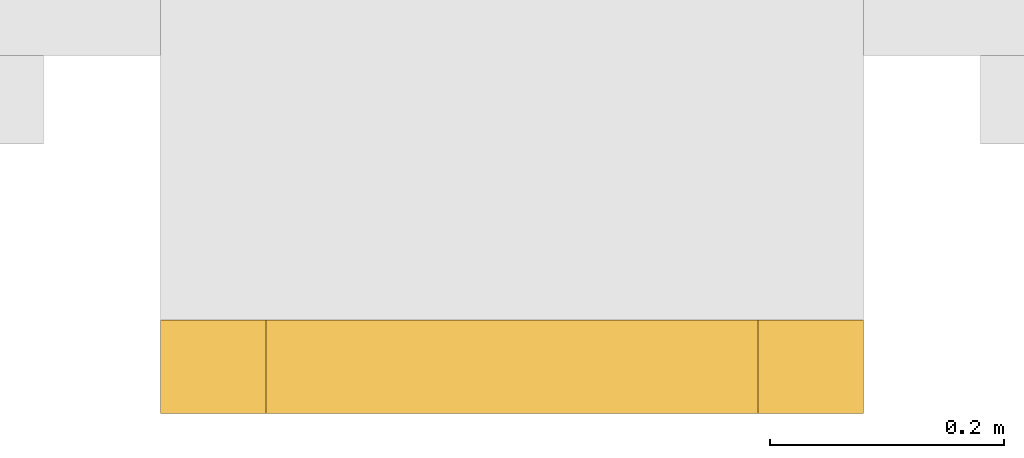
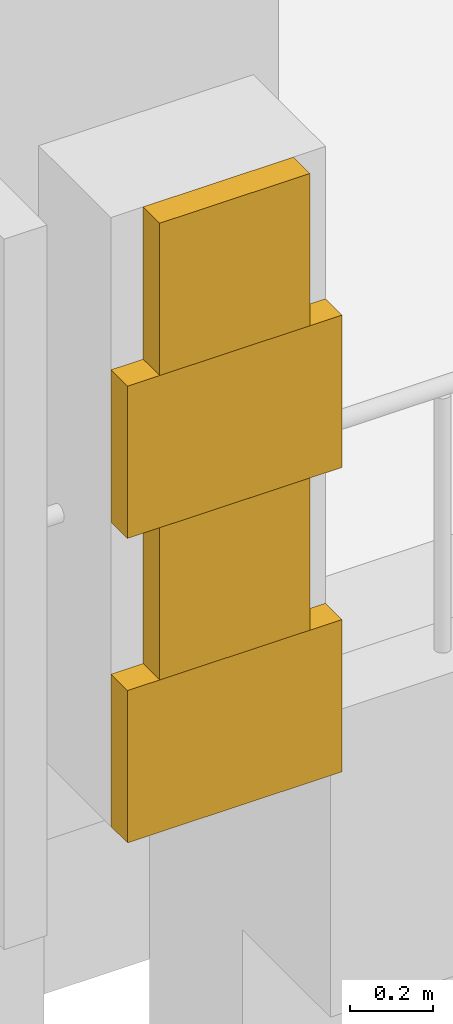
# One storey, part 51 of 52: 4 coverings.
"""IFC4 building model written with IfcOpenShell, lengths in metres."""

from ifc_helpers import new_model, si_unit, direction, frame, origin, place, context, subcontext, project, spatial, polyline, outline, extrude, material, layer, layer_set, type_object, element, save


model = new_model("IFC4")

# Units and contexts
model_context = context("Model", 3, precision=1e-05, world=origin(), true_north=direction((0.0, 1.0)))
body_context = subcontext(model_context, "Body", "Model", "MODEL_VIEW")
ifc_project = project(units=[si_unit("LENGTHUNIT", "METRE"), si_unit("AREAUNIT", "SQUARE_METRE"), si_unit("VOLUMEUNIT", "CUBIC_METRE"), si_unit("PLANEANGLEUNIT", "RADIAN"), si_unit("MASSUNIT", "GRAM", prefix="KILO")], contexts=[model_context])

# Site, building, storey
site_placement = place(None, origin())
site = spatial("IfcSite", under=ifc_project, at=site_placement, CompositionType="ELEMENT")
building_placement = place(site_placement, origin())
building = spatial("IfcBuilding", under=site, at=building_placement, Name="Cour d'Honneur Mobility Palace", CompositionType="ELEMENT")
storey_placement = place(building_placement, frame((0.0, 0.0, 23.0)))
storey = spatial("IfcBuildingStorey", under=building, at=storey_placement, Name="L06", CompositionType="ELEMENT", Elevation=23.0)

# Coverings
ifc_material = material(Name="Cast limestone", Category="masonry")
ifc_layer = layer(ifc_material, 0.080078125)
ifc_layer_set = layer_set([ifc_layer], Name="Cast limestone")
covering_type = type_object("IfcCoveringType", Name="Quoin block", PredefinedType="CLADDING", material=ifc_layer_set)
covering_1_placement = place(storey_placement, frame((0.0, 0.0, 0.300048828125)))
element("IfcCovering", 1, at=covering_1_placement, inside=storey, type_object=covering_type, Name="Quoin block QN-41", PredefinedType="CLADDING", context=body_context, shape_type="SweptSolid", body=[
    extrude(outline(polyline([(8.39990234375, -0.800048828125), (9.0, -0.800048828125), (9.0, -0.8798828125), (8.39990234375, -0.8798828125), (8.39990234375, -0.800048828125)])), origin(), (0.0, 0.0, 1.0), 0.449951171875),
])
covering_2_placement = place(storey_placement, frame((0.0, 0.0, 0.75)))
element("IfcCovering", 2, at=covering_2_placement, inside=storey, type_object=covering_type, Name="Quoin block QN-42", PredefinedType="CLADDING", context=body_context, shape_type="SweptSolid", body=[
    extrude(outline(polyline([(8.489990234375, -0.800048828125), (8.909912109375, -0.800048828125), (8.909912109375, -0.8798828125), (8.489990234375, -0.8798828125), (8.489990234375, -0.800048828125)])), origin(), (0.0, 0.0, 1.0), 0.449951171875),
])
covering_3_placement = place(storey_placement, frame((0.0, 0.0, 1.199951171875)))
element("IfcCovering", 3, at=covering_3_placement, inside=storey, type_object=covering_type, Name="Quoin block QN-43", PredefinedType="CLADDING", context=body_context, shape_type="SweptSolid", body=[
    extrude(outline(polyline([(8.39990234375, -0.800048828125), (9.0, -0.800048828125), (9.0, -0.8798828125), (8.39990234375, -0.8798828125), (8.39990234375, -0.800048828125)])), origin(), (0.0, 0.0, 1.0), 0.449951171875),
])
covering_4_placement = place(storey_placement, frame((0.0, 0.0, 1.64990234375)))
element("IfcCovering", 4, at=covering_4_placement, inside=storey, type_object=covering_type, Name="Quoin block QN-44", PredefinedType="CLADDING", context=body_context, shape_type="SweptSolid", body=[
    extrude(outline(polyline([(8.489990234375, -0.800048828125), (8.909912109375, -0.800048828125), (8.909912109375, -0.8798828125), (8.489990234375, -0.8798828125), (8.489990234375, -0.800048828125)])), origin(), (0.0, 0.0, 1.0), 0.4501953125),
])

save(model, "model.ifc")
